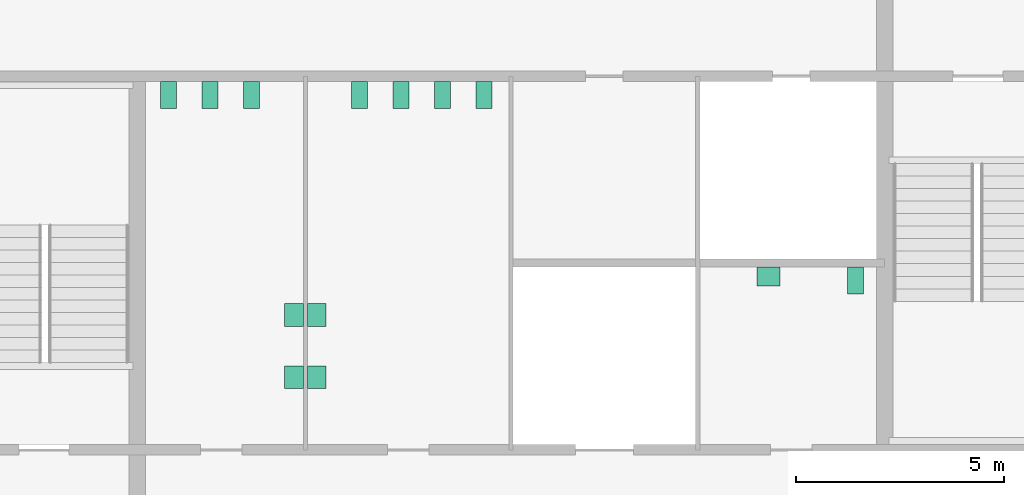
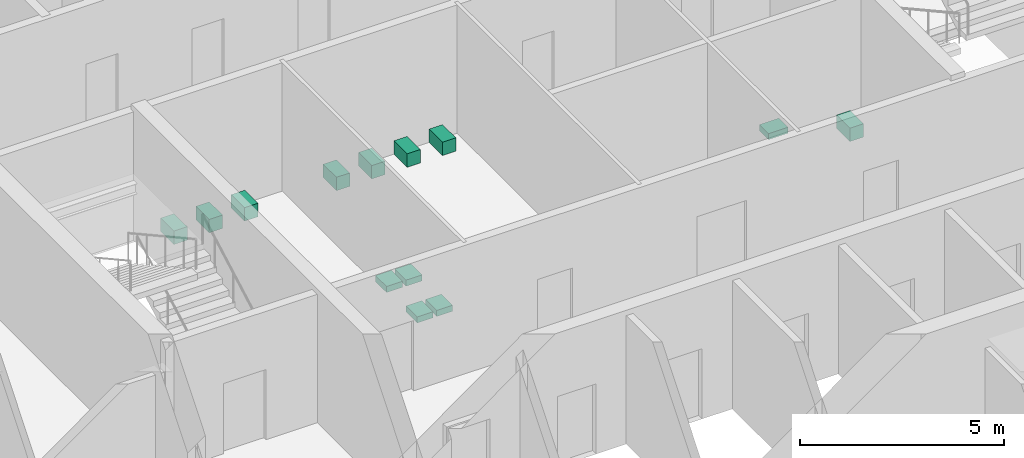
# One storey, part 13 of 13: 13 sanitary terminals.
"""IFC4 building model written with IfcOpenShell, lengths in metres."""

from ifc_helpers import new_model, si_unit, direction, frame, origin, origin_2d, place, context, subcontext, project, spatial, rectangle, extrude, material, type_object, element, save


model = new_model("IFC4")

# Units and contexts
model_context = context("Model", 3, precision=1e-05, world=origin(), true_north=direction((0.0, 1.0)))
body_context = subcontext(model_context, "Body", "Model", "MODEL_VIEW")
ifc_project = project(units=[si_unit("LENGTHUNIT", "METRE"), si_unit("AREAUNIT", "SQUARE_METRE"), si_unit("VOLUMEUNIT", "CUBIC_METRE"), si_unit("PLANEANGLEUNIT", "RADIAN"), si_unit("MASSUNIT", "GRAM", prefix="KILO")], contexts=[model_context])

# Site, building, storey
site_placement = place(None, origin())
site = spatial("IfcSite", under=ifc_project, at=site_placement, CompositionType="ELEMENT")
building_placement = place(site_placement, origin())
building = spatial("IfcBuilding", under=site, at=building_placement, Name="Corais Broadcast Tower", CompositionType="ELEMENT")
storey_placement = place(building_placement, frame((0.0, 0.0, 191.60009765625)))
storey = spatial("IfcBuildingStorey", under=building, at=storey_placement, Name="L44", CompositionType="ELEMENT", Elevation=191.60009765625)

# Sanitary terminals
ifc_material_1 = material(Name="Vitreous china", Category="ceramic")
sanitary_terminal_type_1 = type_object("IfcSanitaryTerminalType", Name="WC pan 380x650", PredefinedType="TOILETPAN", material=ifc_material_1)
for number, where, z_axis, x_axis, name in (
    (1, (18.75, 31.050048828125, 0.0), (0.0, 0.0, 1.0), (1.0, 0.0, 0.0), "SW1 WC pan, male toilets L44"),
    (2, (19.75, 31.050048828125, 0.0), (0.0, 0.0, 1.0), (1.0, 0.0, 0.0), "SW1 WC pan, male toilets L44"),
    (3, (20.75, 31.050048828125, 0.0), (0.0, 0.0, 1.0), (1.0, 0.0, 0.0), "SW1 WC pan, male toilets L44"),
    (4, (23.35009765625, 31.050048828125, 0.0), (0.0, 0.0, 1.0), (1.0, 0.0, 0.0), "SW1 WC pan, female toilets L44"),
    (5, (24.35009765625, 31.050048828125, 0.0), (0.0, 0.0, 1.0), (1.0, 0.0, 0.0), "SW1 WC pan, female toilets L44"),
    (6, (25.35009765625, 31.050048828125, 0.0), (0.0, 0.0, 1.0), (1.0, 0.0, 0.0), "SW1 WC pan, female toilets L44"),
    (7, (26.35009765625, 31.050048828125, 0.0), (0.0, 0.0, 1.0), (1.0, 0.0, 0.0), "SW1 WC pan, female toilets L44"),
    (8, (35.300048828125, 26.574951171875, 0.0), (0.0, 0.0, 1.0), (1.0, 0.0, 0.0), "SW1 WC pan, accessible WC L44"),
):
    element("IfcSanitaryTerminal", number, at=place(storey_placement, frame(where, z_axis=z_axis, x_axis=x_axis)), inside=storey, type_object=sanitary_terminal_type_1, Name=name, PredefinedType="TOILETPAN", context=body_context, shape_type="SweptSolid", body=[
        extrude(rectangle(XDim=0.3798828125, YDim=0.64990234375, at=origin_2d()), origin(), (0.0, 0.0, 1.0), 0.39990234375),
    ])
ifc_material_2 = material(Name="Vitreous china", Category="ceramic")
sanitary_terminal_type_2 = type_object("IfcSanitaryTerminalType", Name="Wash basin 550x450", PredefinedType="WASHHANDBASIN", material=ifc_material_2)
for number, where, z_axis, x_axis, name in (
    (9, (21.77490234375, 24.25, 0.69970703125), (0.0, 0.0, 1.0), (1.0, 0.0, 0.0), "WB1 wash basin, male toilets L44"),
    (10, (21.77490234375, 25.75, 0.69970703125), (0.0, 0.0, 1.0), (1.0, 0.0, 0.0), "WB1 wash basin, male toilets L44"),
    (11, (22.324951171875, 24.25, 0.69970703125), (0.0, 0.0, 1.0), (1.0, 0.0, 0.0), "WB1 wash basin, female toilets L44"),
    (12, (22.324951171875, 25.75, 0.69970703125), (0.0, 0.0, 1.0), (1.0, 0.0, 0.0), "WB1 wash basin, female toilets L44"),
):
    element("IfcSanitaryTerminal", number, at=place(storey_placement, frame(where, z_axis=z_axis, x_axis=x_axis)), inside=storey, type_object=sanitary_terminal_type_2, Name=name, PredefinedType="WASHHANDBASIN", context=body_context, shape_type="SweptSolid", body=[
        extrude(rectangle(XDim=0.449951171875, YDim=0.550048828125, at=origin_2d()), origin(), (0.0, 0.0, 1.0), 0.179931640625),
    ])
sanitary_terminal_placement = place(storey_placement, frame((33.199951171875, 26.675048828125, 0.69970703125), z_axis=(0.0, 0.0, 1.0), x_axis=(1.0, 0.0, 0.0)))
element("IfcSanitaryTerminal", 13, at=sanitary_terminal_placement, inside=storey, type_object=sanitary_terminal_type_2, Name="WB1 wash basin, accessible WC L44", PredefinedType="WASHHANDBASIN", context=body_context, shape_type="SweptSolid", body=[
    extrude(rectangle(XDim=0.550048828125, YDim=0.449951171875, at=origin_2d()), origin(), (0.0, 0.0, 1.0), 0.179931640625),
])

save(model, "model.ifc")
